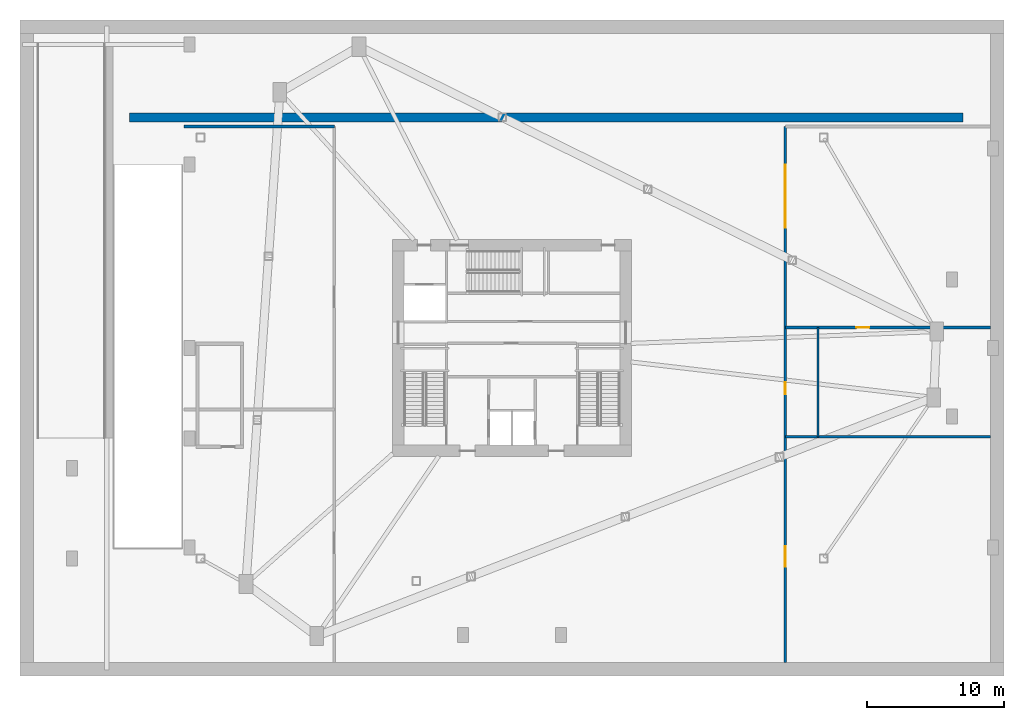
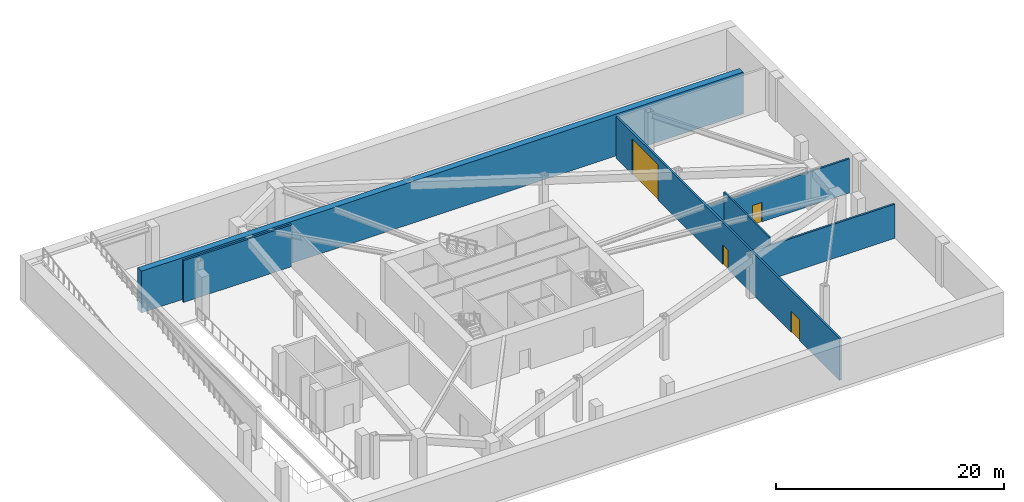
# One storey, part 5 of 9: 6 walls, 4 doors, 4 openings.
"""IFC4 building model written with IfcOpenShell, lengths in metres."""

from ifc_helpers import new_model, si_unit, direction, frame, frame_2d, origin, place, context, subcontext, project, spatial, rectangle, extrude, source, transform, mapped, material, layer, layer_set, type_object, type_shapes, element, fill, save


model = new_model("IFC4")

# Units and contexts
model_context = context("Model", 3, precision=1e-05, world=origin(), true_north=direction((0.0, 1.0)))
body_context = subcontext(model_context, "Body", "Model", "MODEL_VIEW")
ifc_project = project(units=[si_unit("LENGTHUNIT", "METRE"), si_unit("AREAUNIT", "SQUARE_METRE"), si_unit("VOLUMEUNIT", "CUBIC_METRE"), si_unit("PLANEANGLEUNIT", "RADIAN"), si_unit("MASSUNIT", "GRAM", prefix="KILO")], contexts=[model_context])

# Site, building, storey
site_placement = place(None, origin())
site = spatial("IfcSite", under=ifc_project, at=site_placement, CompositionType="ELEMENT")
building_placement = place(site_placement, origin())
building = spatial("IfcBuilding", under=site, at=building_placement, Name="Olszyna Solenne Hotel", CompositionType="ELEMENT")
storey_placement = place(building_placement, frame((0.0, 0.0, -4.800048828125)))
storey = spatial("IfcBuildingStorey", under=building, at=storey_placement, Name="B01", CompositionType="ELEMENT", Elevation=-4.800048828125)

# Walls
ifc_material_1 = material(Name="Acoustic gypsum partition", Category="gypsum")
ifc_layer_1 = layer(ifc_material_1, 0.159912109375, Name="Acoustic gypsum partition")
ifc_layer_set_1 = layer_set([ifc_layer_1], Name="Acoustic gypsum partition")
wall_type_1 = type_object("IfcWallType", Name="WL-PT160", PredefinedType="PARTITIONING", material=ifc_layer_set_1)
wall_1_placement = place(storey_placement, frame((60.389892578125, 20.10009765625, 0.0), z_axis=(0.0, 0.0, 1.0), x_axis=(0.0, 1.0, 0.0)))
element("IfcWall", 1, at=wall_1_placement, inside=storey, type_object=wall_type_1, Name="Interior acoustic partition WL-PT160 PW-B01-0052", PredefinedType="PARTITIONING", context=body_context, shape_type="SweptSolid", body=[
    extrude(rectangle(XDim=8.0, YDim=0.159912109375, at=frame_2d((4.0, 0.0))), origin(), (0.0, 0.0, 1.0), 4.47998046875),
])
ifc_layer_2 = layer(ifc_material_1, 0.199951171875, Name="Acoustic gypsum partition")
ifc_layer_set_2 = layer_set([ifc_layer_2], Name="Acoustic gypsum partition")
wall_type_2 = type_object("IfcWallType", Name="WL-PT200", PredefinedType="PARTITIONING", material=ifc_layer_set_2)
wall_2_placement = place(storey_placement, frame((14.0, 42.800048828125, 0.0), z_axis=(0.0, 0.0, 1.0), x_axis=(1.0, 0.0, 0.0)))
element("IfcWall", 2, at=wall_2_placement, inside=storey, type_object=wall_type_2, Name="Interior acoustic partition WL-PT200 PW-B01-0049", PredefinedType="PARTITIONING", context=body_context, shape_type="SweptSolid", body=[
    extrude(rectangle(XDim=11.0, YDim=0.199951171875, at=frame_2d((5.5, 0.0))), origin(), (0.0, 0.0, 1.0), 4.47998046875),
])

# Wall, openings, doors
wall_3_placement = place(storey_placement, frame((58.0, 3.60009765625, 0.0), z_axis=(0.0, 0.0, 1.0), x_axis=(0.0, 1.0, 0.0)))
wall_3 = element("IfcWall", 3, at=wall_3_placement, inside=storey, type_object=wall_type_2, Name="Interior acoustic partition WL-PT200 PW-B01-0050", PredefinedType="PARTITIONING", context=body_context, shape_type="SweptSolid", body=[
    extrude(rectangle(XDim=39.199951171875, YDim=0.199951171875, at=frame_2d((19.60009765625, 0.0))), origin(), (0.0, 0.0, 1.0), 4.47998046875),
])
opening_1_placement = place(wall_3_placement, frame((7.0, 0.0, 0.0)))
opening_1 = element("IfcOpeningElement", 4, at=opening_1_placement, cuts=wall_3, Name="Opening DR-B01-0010", PredefinedType="OPENING", context=body_context, shape_type="SweptSolid", body=[
    extrude(rectangle(XDim=1.5, YDim=2.25, at=frame_2d((0.75, 1.125))), frame((0.0, 0.10986328125, 0.0), z_axis=(0.0, -1.0, 0.0), x_axis=(1.0, 0.0, 0.0)), (0.0, 0.0, 1.0), 0.219970703125),
])
opening_2_placement = place(wall_3_placement, frame((19.60009765625, 0.0, 0.0)))
opening_2 = element("IfcOpeningElement", 5, at=opening_2_placement, cuts=wall_3, Name="Opening DR-B01-0011", PredefinedType="OPENING", context=body_context, shape_type="SweptSolid", body=[
    extrude(rectangle(XDim=0.89990234375, YDim=2.10009765625, at=frame_2d((0.449951171875, 1.050048828125))), frame((0.0, 0.10986328125, 0.0), z_axis=(0.0, -1.0, 0.0), x_axis=(1.0, 0.0, 0.0)), (0.0, 0.0, 1.0), 0.219970703125),
])
opening_3_placement = place(wall_3_placement, frame((31.800048828125, 0.0, 0.0)))
opening_3 = element("IfcOpeningElement", 6, at=opening_3_placement, cuts=wall_3, Name="Opening DR-B01-0012", PredefinedType="OPENING", context=body_context, shape_type="SweptSolid", body=[
    extrude(rectangle(XDim=4.60009765625, YDim=3.800048828125, at=frame_2d((2.300048828125, 1.89990234375))), frame((0.0, 0.10986328125, 0.0), z_axis=(0.0, -1.0, 0.0), x_axis=(1.0, 0.0, 0.0)), (0.0, 0.0, 1.0), 0.219970703125),
])
ifc_material_2 = material(Name="Steel S355J2", Category="steel")
door_type_1 = type_object("IfcDoorType", Name="VG-02", OperationType="ROLLINGUP", PredefinedType="GATE", material=ifc_material_2)
shared_shape_1 = source(origin(), body_context, "Body", "SweptSolid", [
    extrude(rectangle(XDim=4.60009765625, YDim=3.800048828125, at=frame_2d((2.300048828125, 1.89990234375))), frame((0.0, 0.02490234375, 0.0), z_axis=(0.0, -1.0, 0.0), x_axis=(1.0, 0.0, 0.0)), (0.0, 0.0, 1.0), 0.050048828125),
])
type_shapes(door_type_1, [shared_shape_1])
door_1_placement = place(opening_3_placement, origin())
door_1 = element("IfcDoor", 7, at=door_1_placement, inside=storey, type_object=door_type_1, Name="Loading Bay Fire Shutter Gate DR-B01-0012", OperationType="ROLLINGUP", OverallHeight=3.800048828125, OverallWidth=4.60009765625, PredefinedType="GATE", context=body_context, shape_type="MappedRepresentation", body=[
    mapped(shared_shape_1, transform((0.0, 0.0, 0.0), x_axis=(1.0, 0.0, 0.0), y_axis=(0.0, 1.0, 0.0), z_axis=(0.0, 0.0, 1.0), scale=1.0)),
])
fill(opening_3, door_1)
door_type_2 = type_object("IfcDoorType", Name="DR-PL1", OperationType="DOUBLE_DOOR_SINGLE_SWING", PredefinedType="DOOR", material=ifc_material_2)
shared_shape_2 = source(origin(), body_context, "Body", "SweptSolid", [
    extrude(rectangle(XDim=1.5, YDim=2.25, at=frame_2d((0.75, 1.125))), frame((0.0, 0.02490234375, 0.0), z_axis=(0.0, -1.0, 0.0), x_axis=(1.0, 0.0, 0.0)), (0.0, 0.0, 1.0), 0.050048828125),
])
type_shapes(door_type_2, [shared_shape_2])
door_2_placement = place(opening_1_placement, origin())
door_2 = element("IfcDoor", 8, at=door_2_placement, inside=storey, type_object=door_type_2, Name="Refuse Room Door DR-B01-0010", OperationType="DOUBLE_DOOR_SINGLE_SWING", OverallHeight=2.25, OverallWidth=1.5, PredefinedType="DOOR", context=body_context, shape_type="MappedRepresentation", body=[
    mapped(shared_shape_2, transform((0.0, 0.0, 0.0), x_axis=(1.0, 0.0, 0.0), y_axis=(0.0, 1.0, 0.0), z_axis=(0.0, 0.0, 1.0), scale=1.0)),
])
fill(opening_1, door_2)
ifc_material_3 = material(Name="Timber hardwood", Category="wood")
door_type_3 = type_object("IfcDoorType", Name="DR-WC1", OperationType="NOTDEFINED", PredefinedType="DOOR", material=ifc_material_3)
shared_shape_3 = source(origin(), body_context, "Body", "SweptSolid", [
    extrude(rectangle(XDim=0.89990234375, YDim=2.10009765625, at=frame_2d((0.449951171875, 1.050048828125))), frame((0.0, 0.02490234375, 0.0), z_axis=(0.0, -1.0, 0.0), x_axis=(1.0, 0.0, 0.0)), (0.0, 0.0, 1.0), 0.050048828125),
])
type_shapes(door_type_3, [shared_shape_3])
door_3_placement = place(opening_2_placement, origin())
door_3 = element("IfcDoor", 9, at=door_3_placement, inside=storey, type_object=door_type_3, Name="Accessible Staff WC Door DR-B01-0011", OperationType="SINGLE_SWING_LEFT", OverallHeight=2.10009765625, OverallWidth=0.89990234375, PredefinedType="DOOR", context=body_context, shape_type="MappedRepresentation", body=[
    mapped(shared_shape_3, transform((0.0, 0.0, 0.0), x_axis=(1.0, 0.0, 0.0), y_axis=(0.0, 1.0, 0.0), z_axis=(0.0, 0.0, 1.0), scale=1.0)),
])
fill(opening_2, door_3)

# Wall
wall_4_placement = place(storey_placement, frame((58.0, 20.10009765625, 0.0), z_axis=(0.0, 0.0, 1.0), x_axis=(1.0, 0.0, 0.0)))
element("IfcWall", 10, at=wall_4_placement, inside=storey, type_object=wall_type_2, Name="Interior acoustic partition WL-PT200 PW-B01-0051", PredefinedType="PARTITIONING", context=body_context, shape_type="SweptSolid", body=[
    extrude(rectangle(XDim=15.0, YDim=0.199951171875, at=frame_2d((7.5, 0.0))), origin(), (0.0, 0.0, 1.0), 3.6650390625),
])

# Wall, opening, door
wall_5_placement = place(storey_placement, frame((58.0, 28.10009765625, 0.0), z_axis=(0.0, 0.0, 1.0), x_axis=(1.0, 0.0, 0.0)))
wall_5 = element("IfcWall", 11, at=wall_5_placement, inside=storey, type_object=wall_type_2, Name="Interior acoustic partition WL-PT200 PW-B01-0053", PredefinedType="PARTITIONING", context=body_context, shape_type="SweptSolid", body=[
    extrude(rectangle(XDim=15.0, YDim=0.199951171875, at=frame_2d((7.5, 0.0))), origin(), (0.0, 0.0, 1.0), 3.6650390625),
])
opening_4_placement = place(wall_5_placement, frame((5.199951171875, 0.0, 0.0)))
opening_4 = element("IfcOpeningElement", 12, at=opening_4_placement, cuts=wall_5, Name="Opening DR-B01-0013", PredefinedType="OPENING", context=body_context, shape_type="SweptSolid", body=[
    extrude(rectangle(XDim=0.949951171875, YDim=2.10009765625, at=frame_2d((0.47509765625, 1.050048828125))), frame((0.0, 0.10986328125, 0.0), z_axis=(0.0, -1.0, 0.0), x_axis=(1.0, 0.0, 0.0)), (0.0, 0.0, 1.0), 0.219970703125),
])
door_type_4 = type_object("IfcDoorType", Name="DR-SV1", OperationType="NOTDEFINED", PredefinedType="DOOR", material=ifc_material_2)
shared_shape_4 = source(origin(), body_context, "Body", "SweptSolid", [
    extrude(rectangle(XDim=0.949951171875, YDim=2.10009765625, at=frame_2d((0.47509765625, 1.050048828125))), frame((0.0, 0.02490234375, 0.0), z_axis=(0.0, -1.0, 0.0), x_axis=(1.0, 0.0, 0.0)), (0.0, 0.0, 1.0), 0.050048828125),
])
type_shapes(door_type_4, [shared_shape_4])
door_4_placement = place(opening_4_placement, origin())
door_4 = element("IfcDoor", 13, at=door_4_placement, inside=storey, type_object=door_type_4, Name="Staff Locker Rooms Door DR-B01-0013", OperationType="SINGLE_SWING_RIGHT", OverallHeight=2.10009765625, OverallWidth=0.949951171875, PredefinedType="DOOR", context=body_context, shape_type="MappedRepresentation", body=[
    mapped(shared_shape_4, transform((0.0, 0.0, 0.0), x_axis=(1.0, 0.0, 0.0), y_axis=(0.0, 1.0, 0.0), z_axis=(0.0, 0.0, 1.0), scale=1.0)),
])
fill(opening_4, door_4)

# Wall
ifc_material_4 = material(Name="Concrete C40/50", Category="concrete")
ifc_layer_3 = layer(ifc_material_4, 0.64990234375, Name="Concrete C40/50")
ifc_layer_set_3 = layer_set([ifc_layer_3], Name="Concrete C40/50")
wall_type_3 = type_object("IfcWallType", Name="WL-RW650", PredefinedType="SOLIDWALL", material=ifc_layer_set_3)
wall_6_placement = place(storey_placement, frame((10.0, 43.47509765625, 0.0), z_axis=(0.0, 0.0, 1.0), x_axis=(1.0, 0.0, 0.0)))
element("IfcWall", 14, at=wall_6_placement, inside=storey, type_object=wall_type_3, Name="Basement vehicle-ramp retaining wall RW-B01-01", PredefinedType="SOLIDWALL", context=body_context, shape_type="SweptSolid", body=[
    extrude(rectangle(XDim=61.0, YDim=0.64990234375, at=frame_2d((30.5, 0.0))), origin(), (0.0, 0.0, 1.0), 4.47998046875),
])

save(model, "model.ifc")
